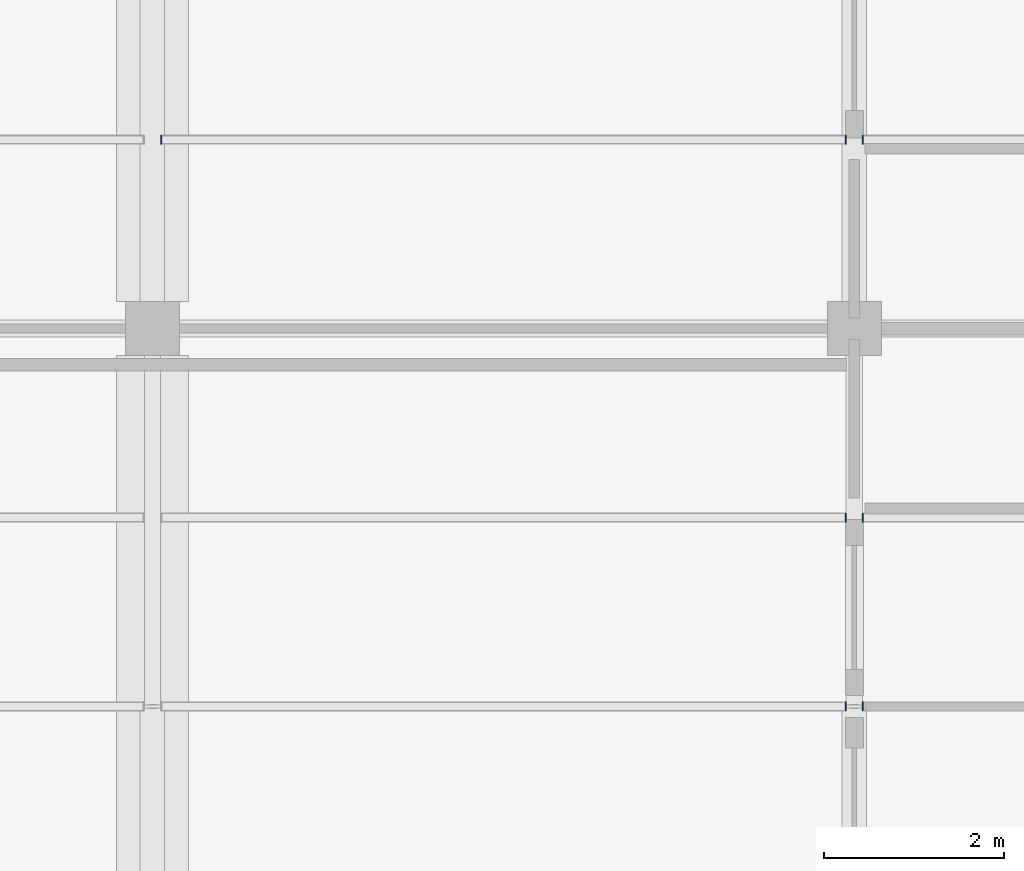
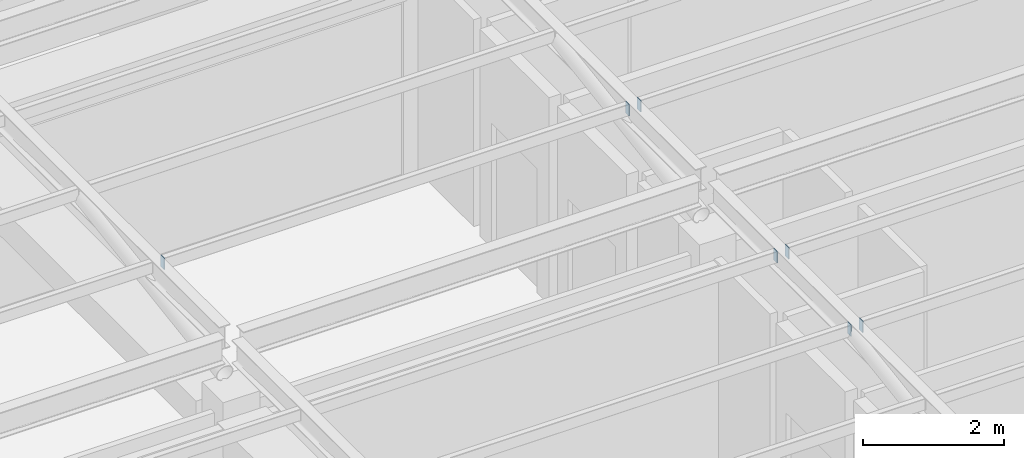
# One storey, part 10 of 20: 7 plates.
"""IFC4 building model written with IfcOpenShell, lengths in metres."""

import ifcopenshell
import ifcopenshell.guid

model = None  # the IFC model being written
_history = None  # IfcOwnerHistory: only IFC2X3 demands one
_inside = {}  # id of a spatial element -> (the spatial element, [elements in it])
_under = {}  # id of a project, library or spatial element -> (it, [spatial elements below it])
_declared = {}  # id of a project -> (the project, [libraries it declares])
_typed = {}  # id of a type object -> (the type object, [elements of that type])
_made_of = {}  # id of a material, layer set ... -> (it, [elements and type objects made of it])


def new_model(schema):
    """Start an empty IFC model of exactly this schema.

    Asked for "IFC4X3", IfcOpenShell would pick the latest addendum, in which some entities
    have other attributes; the version numbers below select the first issue.
    IFC2X3 requires an IfcOwnerHistory on every rooted entity: one is made here for all.
    """
    global model, _history
    if schema == "IFC4X3":
        model = ifcopenshell.file(schema_version=(4, 3, 0, 0))
    else:
        model = ifcopenshell.file(schema=schema)
    _inside.clear()
    _under.clear()
    _declared.clear()
    _typed.clear()
    _made_of.clear()
    _history = None
    if model.schema == "IFC2X3":
        org = make("IfcOrganization", Name="unknown")
        user = make(
            "IfcPersonAndOrganization",
            ThePerson=make("IfcPerson", FamilyName="unknown"),
            TheOrganization=org,
        )
        app = make(
            "IfcApplication",
            ApplicationDeveloper=org,
            Version="unknown",
            ApplicationFullName="unknown",
            ApplicationIdentifier="unknown",
        )
        _history = make(
            "IfcOwnerHistory",
            OwningUser=user,
            OwningApplication=app,
            ChangeAction="ADDED",
            CreationDate=0,
        )
    return model


def make(cls, **values):
    """One entity of the class cls with the attributes given. An attribute that is None is left unset."""
    return model.create_entity(
        cls, **{name: value for name, value in values.items() if value is not None}
    )


def rooted(cls, **values):
    """An entity with a GlobalId (a new one), such as an element, a storey or a relation."""
    return make(cls, GlobalId=ifcopenshell.guid.new(), OwnerHistory=_history, **values)


def si_unit(unit_type, name, prefix=None):
    """IfcSIUnit, for example si_unit("LENGTHUNIT", "METRE", prefix="MILLI")."""
    return make("IfcSIUnit", UnitType=unit_type, Prefix=prefix, Name=name)


def assignment(units):
    """IfcUnitAssignment: the units of a project."""
    return None if units is None else make("IfcUnitAssignment", Units=units)


def point(xyz):
    """IfcCartesianPoint."""
    return None if xyz is None else make("IfcCartesianPoint", Coordinates=xyz)


def direction(xyz):
    """IfcDirection."""
    return None if xyz is None else make("IfcDirection", DirectionRatios=xyz)


def frame(location, z_axis=None, x_axis=None):
    """IfcAxis2Placement3D, a coordinate frame: its origin and axes. An axis left out is left unset."""
    return make(
        "IfcAxis2Placement3D",
        Location=point(location),
        Axis=direction(z_axis),
        RefDirection=direction(x_axis),
    )


def frame_2d(location, x_axis=None):
    """IfcAxis2Placement2D, a coordinate frame in the plane: its origin and x axis."""
    return make(
        "IfcAxis2Placement2D", Location=point(location), RefDirection=direction(x_axis)
    )


def origin():
    """The frame at (0, 0, 0) with its axes left unset."""
    return frame((0.0, 0.0, 0.0))


def origin_2d():
    """The frame at (0, 0) in the plane with its x axis left unset."""
    return frame_2d((0.0, 0.0))


def place(relative_to, where):
    """IfcLocalPlacement: puts the frame where relative to a parent placement (None: the world)."""
    return make(
        "IfcLocalPlacement", PlacementRelTo=relative_to, RelativePlacement=where
    )


def context(
    kind, dimensions, precision=None, world=None, true_north=None, identifier=None
):
    """IfcGeometricRepresentationContext, for example the 3D "Model" context."""
    return make(
        "IfcGeometricRepresentationContext",
        ContextIdentifier=identifier,
        ContextType=kind,
        CoordinateSpaceDimension=dimensions,
        Precision=precision,
        WorldCoordinateSystem=world,
        TrueNorth=true_north,
    )


def subcontext(parent, identifier, kind, view, scale=None):
    """IfcGeometricRepresentationSubContext, for example "Body" below "Model"."""
    return make(
        "IfcGeometricRepresentationSubContext",
        ContextIdentifier=identifier,
        ContextType=kind,
        ParentContext=parent,
        TargetScale=scale,
        TargetView=view,
    )


def project(units=None, contexts=None):
    """IfcProject with its units and contexts."""
    return rooted(
        "IfcProject",
        Name="project",
        RepresentationContexts=contexts,
        UnitsInContext=assignment(units),
    )


def spatial(cls, under=None, at=None, **own):
    """A site, building, storey or space (cls), placed at a placement, below another one or the project."""
    s = rooted(cls, ObjectPlacement=at, **own)
    if under is not None:
        _under.setdefault(under.id(), (under, []))[1].append(s)
    return s


def profile(cls, at=None, kind="AREA", **sizes):
    """A parametric profile (cls). Its sizes go by their IFC names, for example OverallWidth=200.0."""
    return make(cls, ProfileType=kind, Position=at, **sizes)


def rectangle(**sizes):
    """IfcRectangleProfileDef."""
    return profile("IfcRectangleProfileDef", **sizes)


def extrude(swept, where, along, depth):
    """IfcExtrudedAreaSolid: the profile swept, set in the frame where, extruded along a direction by depth."""
    return make(
        "IfcExtrudedAreaSolid",
        SweptArea=swept,
        Position=where,
        ExtrudedDirection=direction(along),
        Depth=depth,
    )


def shape(context_of_items, identifier, shape_type, items):
    """IfcShapeRepresentation: the items that make up one representation, for example the "Body"."""
    return make(
        "IfcShapeRepresentation",
        ContextOfItems=context_of_items,
        RepresentationIdentifier=identifier,
        RepresentationType=shape_type,
        Items=items,
    )


def material(Name=None, Category=None):
    """IfcMaterial."""
    return make("IfcMaterial", Name=Name, Category=Category)


def layer(
    of_material, thickness, ventilated=None, Name=None, Category=None, Priority=None
):
    """IfcMaterialLayer: one layer of a wall or slab, of a material (None: an air gap)."""
    return make(
        "IfcMaterialLayer",
        Material=of_material,
        LayerThickness=thickness,
        IsVentilated=ventilated,
        Name=Name,
        Category=Category,
        Priority=Priority,
    )


def layer_set(layers, Name=None):
    """IfcMaterialLayerSet."""
    return make("IfcMaterialLayerSet", MaterialLayers=layers, LayerSetName=Name)


def made_of(thing, what):
    """Note that an element or type object is made of a material, layer set ...; save() writes the relation."""
    if what is not None:
        _made_of.setdefault(what.id(), (what, []))[1].append(thing)
    return thing


def type_object(cls, material=None, **own):
    """A type object (cls), such as IfcWallType, which elements share."""
    return made_of(rooted(cls, **own), material)


def element(
    cls,
    number,
    at=None,
    inside=None,
    cuts=None,
    type_object=None,
    material=None,
    context=None,
    identifier="Body",
    shape_type=None,
    held_by="IfcProductDefinitionShape",
    body=None,
    shapes=None,
    **own,
):
    """One element of the class cls, such as IfcWall. Its Tag is "e" and its number.

    at: its placement. inside: the storey or other place that contains it. cuts: it is an
    opening in that element (IfcRelVoidsElement). A single representation is given by context,
    identifier, shape_type and body (its items); several are given by shapes. held_by: the class
    of the entity that holds the representations. save() writes the other relations.
    """
    e = rooted(cls, Tag="e%d" % number, ObjectPlacement=at, **own)
    if body is not None:
        shapes = [shape(context, identifier, shape_type, body)]
    if shapes is not None:
        e.Representation = make(held_by, Representations=shapes)
    if inside is not None:
        _inside.setdefault(inside.id(), (inside, []))[1].append(e)
    if cuts is not None:
        rooted(
            "IfcRelVoidsElement", RelatingBuildingElement=cuts, RelatedOpeningElement=e
        )
    if type_object is not None:
        _typed.setdefault(type_object.id(), (type_object, []))[1].append(e)
    return made_of(e, material)


def aggregate(whole, parts):
    """IfcRelAggregates: a whole, such as a stair, and the parts it consists of."""
    return rooted("IfcRelAggregates", RelatingObject=whole, RelatedObjects=parts)


def save(model, path):
    """Write the relations noted so far, then the file.

    IfcRelAggregates (storeys below a building ...), IfcRelContainedInSpatialStructure (elements
    in a storey), IfcRelDefinesByType, IfcRelAssociatesMaterial and IfcRelDeclares: one each for
    every whole, place, type object, material and project.
    """
    for whole, parts in _under.values():
        aggregate(whole, parts)
    for where, things in _inside.values():
        rooted(
            "IfcRelContainedInSpatialStructure",
            RelatedElements=things,
            RelatingStructure=where,
        )
    for kind, things in _typed.values():
        rooted("IfcRelDefinesByType", RelatedObjects=things, RelatingType=kind)
    for what, things in _made_of.values():
        rooted("IfcRelAssociatesMaterial", RelatedObjects=things, RelatingMaterial=what)
    for by, libraries in _declared.values():
        rooted("IfcRelDeclares", RelatingContext=by, RelatedDefinitions=libraries)
    model.write(path)


model = new_model("IFC4")

# Units and contexts
model_context = context("Model", 3, precision=1e-05, world=origin(), true_north=direction((0.0, 1.0)))
body_context = subcontext(model_context, "Body", "Model", "MODEL_VIEW")
ifc_project = project(units=[si_unit("LENGTHUNIT", "METRE"), si_unit("AREAUNIT", "SQUARE_METRE"), si_unit("VOLUMEUNIT", "CUBIC_METRE"), si_unit("PLANEANGLEUNIT", "RADIAN"), si_unit("MASSUNIT", "GRAM", prefix="KILO"), si_unit("THERMODYNAMICTEMPERATUREUNIT", "KELVIN"), si_unit("POWERUNIT", "WATT")], contexts=[model_context])

# Site, building, storey
site_placement = place(None, origin())
site = spatial("IfcSite", under=ifc_project, at=site_placement, CompositionType="ELEMENT")
building_placement = place(site_placement, origin())
building = spatial("IfcBuilding", under=site, at=building_placement, Name="Srebrne Nadtorze General Hospital", CompositionType="ELEMENT")
storey_placement = place(building_placement, frame((0.0, 0.0, 33.89990234375)))
storey = spatial("IfcBuildingStorey", under=building, at=storey_placement, Name="L08", CompositionType="ELEMENT", Elevation=33.89990234375)

# Plates
ifc_material = material(Name="Steel S355J2", Category="steel")
ifc_layer = layer(ifc_material, 0.011962890625)
ifc_layer_set = layer_set([ifc_layer], Name="Steel S355J2")
plate_type = type_object("IfcPlateType", Name="Steel bearing plate 12", PredefinedType="SHEET", material=ifc_layer_set)
for number, where, z_axis, x_axis, name in (
    (1, (46.7041015625, 63.0, 4.64013671875), (0.0, 0.0, 1.0), (1.0, 0.0, 0.0), "Helipad deck purlin end plate 14-2"),
    (2, (46.7041015625, 65.10009765625, 4.64013671875), (0.0, 0.0, 1.0), (1.0, 0.0, 0.0), "Helipad deck purlin end plate 15-2"),
    (3, (39.095947265625, 69.300048828125, 4.64013671875), (0.0, 0.0, 1.0), (1.0, 0.0, 0.0), "Helipad deck purlin end plate 16-1"),
    (4, (46.7041015625, 69.300048828125, 4.64013671875), (0.0, 0.0, 1.0), (1.0, 0.0, 0.0), "Helipad deck purlin end plate 16-2"),
    (5, (46.89599609375, 63.0, 4.64013671875), (0.0, 0.0, 1.0), (1.0, 0.0, 0.0), "Helipad deck purlin end plate 23-1"),
    (6, (46.89599609375, 65.10009765625, 4.64013671875), (0.0, 0.0, 1.0), (1.0, 0.0, 0.0), "Helipad deck purlin end plate 24-1"),
    (7, (46.89599609375, 69.300048828125, 4.64013671875), (0.0, 0.0, 1.0), (1.0, 0.0, 0.0), "Helipad deck purlin end plate 25-1"),
):
    element("IfcPlate", number, at=place(storey_placement, frame(where, z_axis=z_axis, x_axis=x_axis)), inside=storey, type_object=plate_type, Name=name, PredefinedType="SHEET", context=body_context, shape_type="SweptSolid", body=[
        extrude(rectangle(XDim=0.011962890625, YDim=0.10009765625, at=origin_2d()), origin(), (0.0, 0.0, 1.0), 0.199951171875),
    ])

save(model, "model.ifc")
